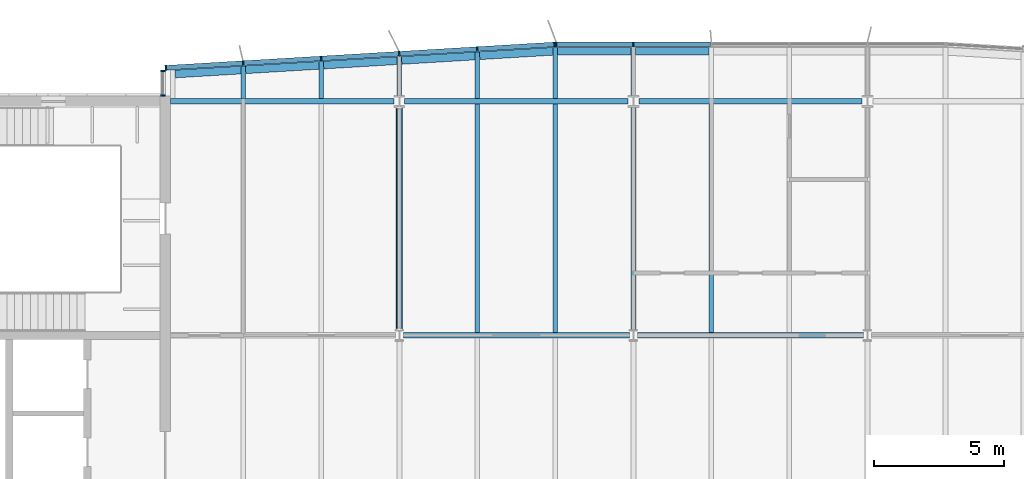
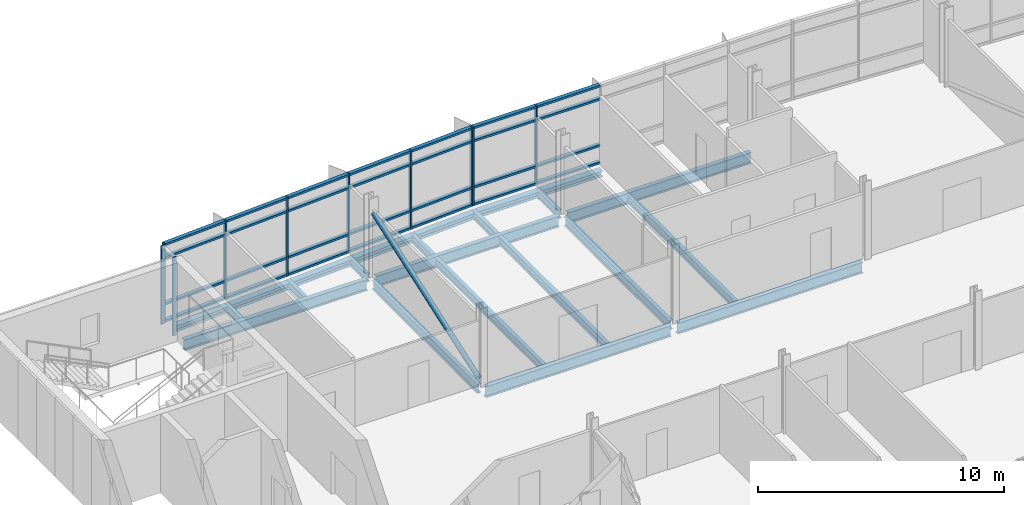
# One storey, part 4 of 21: 39 members, 23 beams, 3 elements without a shape of their own.
"""IFC4 building model written with IfcOpenShell, lengths in metres."""

from ifc_helpers import new_model, si_unit, direction, frame, origin, origin_2d, place, context, subcontext, project, spatial, rectangle, hollow_circle, i_section, extrude, material, material_profile, profile_set, type_object, element, aggregate, save


model = new_model("IFC4")

# Units and contexts
model_context = context("Model", 3, precision=1e-05, world=origin(), true_north=direction((0.0, 1.0)))
body_context = subcontext(model_context, "Body", "Model", "MODEL_VIEW")
ifc_project = project(units=[si_unit("LENGTHUNIT", "METRE"), si_unit("AREAUNIT", "SQUARE_METRE"), si_unit("VOLUMEUNIT", "CUBIC_METRE"), si_unit("PLANEANGLEUNIT", "RADIAN"), si_unit("MASSUNIT", "GRAM", prefix="KILO")], contexts=[model_context])

# Site, building, storey
site_placement = place(None, origin())
site = spatial("IfcSite", under=ifc_project, at=site_placement, CompositionType="ELEMENT")
building_placement = place(site_placement, origin())
building = spatial("IfcBuilding", under=site, at=building_placement, Name="Azimuth Sports and Learning Centre", CompositionType="ELEMENT")
storey_placement = place(building_placement, frame((0.0, 0.0, 48.0)))
storey = spatial("IfcBuildingStorey", under=building, at=storey_placement, Name="L10", CompositionType="ELEMENT", Elevation=48.0)

# Beams
ifc_material_1 = material(Name="Steel S355", Category="steel")
ifc_material_profile_1 = material_profile(ifc_material_1, i_section(OverallWidth=0.18994140625, OverallDepth=0.449951171875, WebThickness=0.009521484375, FlangeThickness=0.0146484375, FilletRadius=0.02099609375, at=origin_2d()), Name="IPE 450")
ifc_profile_set_1 = profile_set([ifc_material_profile_1], Name="Steel S355")
beam_type_1 = type_object("IfcBeamType", Name="Beam IPE 450", PredefinedType="BEAM", material=ifc_profile_set_1)
for number, where, z_axis, x_axis, name in (
    (1, (72.0, 108.216064453125, -0.35498046875), (0.0, 1.0, 0.0), (-1.0, 0.0, 0.0), "Tower tie"),
    (2, (81.0, 108.216064453125, -0.35498046875), (0.0, 1.0, 0.0), (-1.0, 0.0, 0.0), "Tower tie"),
):
    element("IfcBeam", number, at=place(storey_placement, frame(where, z_axis=z_axis, x_axis=x_axis)), inside=storey, type_object=beam_type_1, Name=name, PredefinedType="BEAM", context=body_context, shape_type="SweptSolid", body=[
        extrude(i_section(OverallWidth=0.18994140625, OverallDepth=0.449951171875, WebThickness=0.009521484375, FlangeThickness=0.0146484375, FilletRadius=0.02099609375, at=origin_2d()), origin(), (0.0, 0.0, 1.0), 8.556396484375),
    ])
ifc_material_2 = material(Name="Steel S355", Category="steel")
ifc_material_profile_2 = material_profile(ifc_material_2, i_section(OverallWidth=0.2099609375, OverallDepth=0.550048828125, WebThickness=0.010986328125, FlangeThickness=0.01708984375, FilletRadius=0.02392578125, at=origin_2d()), Name="IPE 550")
ifc_profile_set_2 = profile_set([ifc_material_profile_2], Name="Steel S355")
beam_type_2 = type_object("IfcBeamType", Name="Beam IPE 550", PredefinedType="BEAM", material=ifc_profile_set_2)
for number, where, z_axis, x_axis, name in (
    (3, (72.153564453125, 108.0, -0.405029296875), (1.0, 0.0, 0.0), (0.0, 1.0, 0.0), "Tower girder L10"),
    (4, (81.153564453125, 108.0, -0.405029296875), (1.0, 0.0, 0.0), (0.0, 1.0, 0.0), "Tower girder L10"),
):
    element("IfcBeam", number, at=place(storey_placement, frame(where, z_axis=z_axis, x_axis=x_axis)), inside=storey, type_object=beam_type_2, Name=name, PredefinedType="BEAM", context=body_context, shape_type="SweptSolid", body=[
        extrude(i_section(OverallWidth=0.2099609375, OverallDepth=0.550048828125, WebThickness=0.010986328125, FlangeThickness=0.01708984375, FilletRadius=0.02392578125, at=origin_2d()), origin(), (0.0, 0.0, 1.0), 8.69287109375),
    ])
beam_1_placement = place(storey_placement, frame((63.199951171875, 117.0, -0.405029296875), z_axis=(1.0, 0.0, 0.0), x_axis=(0.0, 1.0, 0.0)))
element("IfcBeam", 5, at=beam_1_placement, inside=storey, type_object=beam_type_2, Name="Tower girder L10", PredefinedType="BEAM", context=body_context, shape_type="SweptSolid", body=[
    extrude(i_section(OverallWidth=0.2099609375, OverallDepth=0.550048828125, WebThickness=0.010986328125, FlangeThickness=0.01708984375, FilletRadius=0.02392578125, at=origin_2d()), origin(), (0.0, 0.0, 1.0), 8.591064453125),
])
for number, where, z_axis, x_axis, name in (
    (6, (72.208984375, 117.0, -0.405029296875), (1.0, 0.0, 0.0), (0.0, 1.0, 0.0), "Tower girder L10"),
    (7, (81.208984375, 117.0, -0.405029296875), (1.0, 0.0, 0.0), (0.0, 1.0, 0.0), "Tower girder L10"),
):
    element("IfcBeam", number, at=place(storey_placement, frame(where, z_axis=z_axis, x_axis=x_axis)), inside=storey, type_object=beam_type_2, Name=name, PredefinedType="BEAM", context=body_context, shape_type="SweptSolid", body=[
        extrude(i_section(OverallWidth=0.2099609375, OverallDepth=0.550048828125, WebThickness=0.010986328125, FlangeThickness=0.01708984375, FilletRadius=0.02392578125, at=origin_2d()), origin(), (0.0, 0.0, 1.0), 8.58203125),
    ])

# Member
ifc_material_3 = material(Name="Steel S355", Category="steel")
ifc_material_profile_3 = material_profile(ifc_material_3, hollow_circle(Radius=0.122314453125, WallThickness=0.012451171875, at=origin_2d()), Name="CHS 244.5x12.5")
ifc_profile_set_3 = profile_set([ifc_material_profile_3], Name="Steel S355")
member_type_1 = type_object("IfcMemberType", Name="Brace CHS 244.5x12.5", PredefinedType="BRACE", material=ifc_profile_set_3)
member_1_placement = place(storey_placement, frame((72.0, 108.236328125, 0.16943359375), z_axis=(0.0, 0.94383599609, 0.330414304299), x_axis=(-1.0, 0.0, 0.0)))
element("IfcMember", 8, at=member_1_placement, inside=storey, type_object=member_type_1, Name="Tower brace 9 L10", PredefinedType="BRACE", context=body_context, shape_type="SweptSolid", body=[
    extrude(hollow_circle(Radius=0.122314453125, WallThickness=0.012451171875, at=origin_2d()), origin(), (0.0, 0.0, 1.0), 9.022705078125),
])

# Beams
ifc_material_4 = material(Name="Steel S355", Category="steel")
ifc_material_profile_4 = material_profile(ifc_material_4, i_section(OverallWidth=0.179931640625, OverallDepth=0.39990234375, WebThickness=0.008544921875, FlangeThickness=0.013427734375, FilletRadius=0.02099609375, at=origin_2d()), Name="IPE 400")
ifc_profile_set_4 = profile_set([ifc_material_profile_4], Name="Steel S355")
beam_type_3 = type_object("IfcBeamType", Name="Cantilever stub IPE 400", PredefinedType="JOIST", material=ifc_profile_set_4)
beam_2_placement = place(storey_placement, frame((66.0, 117.10498046875, -0.330078125), z_axis=(0.0, 1.0, 0.0), x_axis=(-1.0, 0.0, 0.0)))
element("IfcBeam", 9, at=beam_2_placement, inside=storey, type_object=beam_type_3, Name="Tower cantilever stub", PredefinedType="JOIST", context=body_context, shape_type="SweptSolid", body=[
    extrude(i_section(OverallWidth=0.179931640625, OverallDepth=0.39990234375, WebThickness=0.008544921875, FlangeThickness=0.013427734375, FilletRadius=0.02099609375, at=origin_2d()), origin(), (0.0, 0.0, 1.0), 1.255126953125),
])
beam_3_placement = place(storey_placement, frame((69.0, 117.10498046875, -0.330078125), z_axis=(0.0, 1.0, 0.0), x_axis=(-1.0, 0.0, 0.0)))
element("IfcBeam", 10, at=beam_3_placement, inside=storey, type_object=beam_type_3, Name="Tower cantilever stub", PredefinedType="JOIST", context=body_context, shape_type="SweptSolid", body=[
    extrude(i_section(OverallWidth=0.179931640625, OverallDepth=0.39990234375, WebThickness=0.008544921875, FlangeThickness=0.013427734375, FilletRadius=0.02099609375, at=origin_2d()), origin(), (0.0, 0.0, 1.0), 1.43505859375),
])
beam_4_placement = place(storey_placement, frame((72.0, 117.2275390625, -0.330078125), z_axis=(0.0, 1.0, 0.0), x_axis=(-1.0, 0.0, 0.0)))
element("IfcBeam", 11, at=beam_4_placement, inside=storey, type_object=beam_type_3, Name="Tower cantilever stub", PredefinedType="JOIST", context=body_context, shape_type="SweptSolid", body=[
    extrude(i_section(OverallWidth=0.179931640625, OverallDepth=0.39990234375, WebThickness=0.008544921875, FlangeThickness=0.013427734375, FilletRadius=0.02099609375, at=origin_2d()), origin(), (0.0, 0.0, 1.0), 1.492431640625),
])
beam_5_placement = place(storey_placement, frame((75.0, 117.10498046875, -0.330078125), z_axis=(0.0, 1.0, 0.0), x_axis=(-1.0, 0.0, 0.0)))
element("IfcBeam", 12, at=beam_5_placement, inside=storey, type_object=beam_type_3, Name="Tower cantilever stub", PredefinedType="JOIST", context=body_context, shape_type="SweptSolid", body=[
    extrude(i_section(OverallWidth=0.179931640625, OverallDepth=0.39990234375, WebThickness=0.008544921875, FlangeThickness=0.013427734375, FilletRadius=0.02099609375, at=origin_2d()), origin(), (0.0, 0.0, 1.0), 1.794921875),
])
beam_6_placement = place(storey_placement, frame((78.0, 117.10498046875, -0.330078125), z_axis=(0.0, 1.0, 0.0), x_axis=(-1.0, 0.0, 0.0)))
element("IfcBeam", 13, at=beam_6_placement, inside=storey, type_object=beam_type_3, Name="Tower cantilever stub", PredefinedType="JOIST", context=body_context, shape_type="SweptSolid", body=[
    extrude(i_section(OverallWidth=0.179931640625, OverallDepth=0.39990234375, WebThickness=0.008544921875, FlangeThickness=0.013427734375, FilletRadius=0.02099609375, at=origin_2d()), origin(), (0.0, 0.0, 1.0), 1.97509765625),
])
beam_7_placement = place(storey_placement, frame((81.0, 117.2275390625, -0.330078125), z_axis=(0.0, 1.0, 0.0), x_axis=(-1.0, 0.0, 0.0)))
element("IfcBeam", 14, at=beam_7_placement, inside=storey, type_object=beam_type_3, Name="Tower cantilever stub", PredefinedType="JOIST", context=body_context, shape_type="SweptSolid", body=[
    extrude(i_section(OverallWidth=0.179931640625, OverallDepth=0.39990234375, WebThickness=0.008544921875, FlangeThickness=0.013427734375, FilletRadius=0.02099609375, at=origin_2d()), origin(), (0.0, 0.0, 1.0), 1.8525390625),
])
ifc_material_5 = material(Name="Steel S355", Category="steel")
ifc_material_profile_5 = material_profile(ifc_material_5, i_section(OverallWidth=0.300048828125, OverallDepth=0.2900390625, WebThickness=0.008544921875, FlangeThickness=0.013916015625, FilletRadius=0.027099609375, at=origin_2d()), Name="HEA 300")
ifc_profile_set_5 = profile_set([ifc_material_profile_5], Name="Steel S355")
beam_type_4 = type_object("IfcBeamType", Name="Edge beam HEA 300", PredefinedType="SPANDREL", material=ifc_profile_set_5)
beam_8_placement = place(storey_placement, frame((63.3798828125, 118.052734375, -0.27490234375), z_axis=(0.998203578329, 0.059913405937, 0.0), x_axis=(-0.059913405937, 0.998203578329, 0.0)))
element("IfcBeam", 15, at=beam_8_placement, inside=storey, type_object=beam_type_4, Name="Tower edge beam", PredefinedType="SPANDREL", context=body_context, shape_type="SweptSolid", body=[
    extrude(i_section(OverallWidth=0.300048828125, OverallDepth=0.2900390625, WebThickness=0.008544921875, FlangeThickness=0.013916015625, FilletRadius=0.027099609375, at=origin_2d()), origin(), (0.0, 0.0, 1.0), 2.53466796875),
])
for number, where, z_axis, x_axis, name in (
    (16, (66.090087890625, 118.21533203125, -0.27490234375), (0.998204845466, 0.059892290728, 0.0), (-0.059892290728, 0.998204845466, 0.0), "Tower edge beam"),
    (17, (69.090087890625, 118.3955078125, -0.27490234375), (0.998204845466, 0.059892290728, 0.0), (-0.059892290728, 0.998204845466, 0.0), "Tower edge beam"),
    (18, (72.090087890625, 118.575439453125, -0.27490234375), (0.998204845466, 0.059892290728, 0.0), (-0.059892290728, 0.998204845466, 0.0), "Tower edge beam"),
    (19, (75.090087890625, 118.75537109375, -0.27490234375), (0.998204845466, 0.059892290728, 0.0), (-0.059892290728, 0.998204845466, 0.0), "Tower edge beam"),
):
    element("IfcBeam", number, at=place(storey_placement, frame(where, z_axis=z_axis, x_axis=x_axis)), inside=storey, type_object=beam_type_4, Name=name, PredefinedType="SPANDREL", context=body_context, shape_type="SweptSolid", body=[
        extrude(i_section(OverallWidth=0.300048828125, OverallDepth=0.2900390625, WebThickness=0.008544921875, FlangeThickness=0.013916015625, FilletRadius=0.027099609375, at=origin_2d()), origin(), (0.0, 0.0, 1.0), 2.824951171875),
    ])
for number, where, z_axis, x_axis, name in (
    (20, (78.090087890625, 118.929931640625, -0.27490234375), (1.0, 0.0, 0.0), (0.0, 1.0, 0.0), "Tower edge beam"),
    (21, (81.090087890625, 118.929931640625, -0.27490234375), (1.0, 0.0, 0.0), (0.0, 1.0, 0.0), "Tower edge beam"),
):
    element("IfcBeam", number, at=place(storey_placement, frame(where, z_axis=z_axis, x_axis=x_axis)), inside=storey, type_object=beam_type_4, Name=name, PredefinedType="SPANDREL", context=body_context, shape_type="SweptSolid", body=[
        extrude(i_section(OverallWidth=0.300048828125, OverallDepth=0.2900390625, WebThickness=0.008544921875, FlangeThickness=0.013916015625, FilletRadius=0.027099609375, at=origin_2d()), origin(), (0.0, 0.0, 1.0), 2.81982421875),
    ])
ifc_material_6 = material(Name="Steel S355", Category="steel")
ifc_material_profile_6 = material_profile(ifc_material_6, i_section(OverallWidth=0.179931640625, OverallDepth=0.39990234375, WebThickness=0.008544921875, FlangeThickness=0.013427734375, FilletRadius=0.02099609375, at=origin_2d()), Name="IPE 400")
ifc_profile_set_6 = profile_set([ifc_material_profile_6], Name="Steel S355")
beam_type_5 = type_object("IfcBeamType", Name="Joist IPE 400", PredefinedType="JOIST", material=ifc_profile_set_6)
for number, where, z_axis, x_axis, name in (
    (22, (75.0, 108.10498046875, -0.330078125), (0.0, 1.0, 0.0), (-1.0, 0.0, 0.0), "Tower joist"),
    (23, (78.0, 108.10498046875, -0.330078125), (0.0, 1.0, 0.0), (-1.0, 0.0, 0.0), "Tower joist"),
    (24, (84.0, 108.10498046875, -0.330078125), (0.0, 1.0, 0.0), (-1.0, 0.0, 0.0), "Tower joist"),
):
    element("IfcBeam", number, at=place(storey_placement, frame(where, z_axis=z_axis, x_axis=x_axis)), inside=storey, type_object=beam_type_5, Name=name, PredefinedType="JOIST", context=body_context, shape_type="SweptSolid", body=[
        extrude(i_section(OverallWidth=0.179931640625, OverallDepth=0.39990234375, WebThickness=0.008544921875, FlangeThickness=0.013427734375, FilletRadius=0.02099609375, at=origin_2d()), origin(), (0.0, 0.0, 1.0), 8.7900390625),
    ])

# Curtain wall, members
ifc_material_7 = material(Name="Aluminium and glass", Category="aluminium")
curtain_wall_type_1 = type_object("IfcCurtainWallType", Name="Curtain wall tower north 180", PredefinedType="NOTDEFINED", material=ifc_material_7)
curtain_wall_1_placement = place(storey_placement, origin())
curtain_wall_1 = element("IfcCurtainWall", 25, at=curtain_wall_1_placement, inside=storey, type_object=curtain_wall_type_1, Name="Curtain wall CW10-008", PredefinedType="NOTDEFINED")
ifc_material_8 = material(Name="Aluminium", Category="aluminium")
ifc_material_profile_7 = material_profile(ifc_material_8, rectangle(XDim=0.179931640625, YDim=0.06005859375, at=origin_2d()), Name="Mullion 60x180")
ifc_profile_set_7 = profile_set([ifc_material_profile_7], Name="Aluminium")
member_type_2 = type_object("IfcMemberType", Name="Mullion 60x180", PredefinedType="MULLION", material=ifc_profile_set_7)
member_2_placement = place(storey_placement, frame((81.0, 119.18994140625, 0.0), z_axis=(0.0, 0.0, 1.0), x_axis=(0.0, -1.0, 0.0)))
member_2 = element("IfcMember", 26, at=member_2_placement, type_object=member_type_2, Name="CW10-008 mullion 5", PredefinedType="MULLION", context=body_context, shape_type="SweptSolid", body=[
    extrude(rectangle(XDim=0.179931640625, YDim=0.06005859375, at=origin_2d()), origin(), (0.0, 0.0, 1.0), 3.89990234375),
])
member_3_placement = place(storey_placement, frame((78.030029296875, 119.18994140625, 0.0), z_axis=(0.0, 0.0, 1.0), x_axis=(0.0, -1.0, 0.0)))
member_3 = element("IfcMember", 27, at=member_3_placement, type_object=member_type_2, Name="CW10-008 mullion 6", PredefinedType="MULLION", context=body_context, shape_type="SweptSolid", body=[
    extrude(rectangle(XDim=0.179931640625, YDim=0.06005859375, at=origin_2d()), origin(), (0.0, 0.0, 1.0), 3.89990234375),
])

curtain_wall_2_placement = place(storey_placement, origin())
curtain_wall_2 = element("IfcCurtainWall", 28, at=curtain_wall_2_placement, inside=storey, type_object=curtain_wall_type_1, Name="Curtain wall CW10-009", PredefinedType="NOTDEFINED")
member_4_placement = place(storey_placement, frame((77.969970703125, 119.1884765625, 0.0), z_axis=(0.0, 0.0, 1.0), x_axis=(0.059891991812, -0.998204863401, 0.0)))
member_4 = element("IfcMember", 29, at=member_4_placement, type_object=member_type_2, Name="CW10-009 mullion 1", PredefinedType="MULLION", context=body_context, shape_type="SweptSolid", body=[
    extrude(rectangle(XDim=0.179931640625, YDim=0.06005859375, at=origin_2d()), origin(), (0.0, 0.0, 1.0), 3.89990234375),
])
member_5_placement = place(storey_placement, frame((74.99462890625, 119.009765625, 0.0), z_axis=(0.0, 0.0, 1.0), x_axis=(0.059891991812, -0.998204863401, 0.0)))
member_5 = element("IfcMember", 30, at=member_5_placement, type_object=member_type_2, Name="CW10-009 mullion 2", PredefinedType="MULLION", context=body_context, shape_type="SweptSolid", body=[
    extrude(rectangle(XDim=0.179931640625, YDim=0.06005859375, at=origin_2d()), origin(), (0.0, 0.0, 1.0), 3.89990234375),
])
member_6_placement = place(storey_placement, frame((71.99462890625, 118.829833984375, 0.0), z_axis=(0.0, 0.0, 1.0), x_axis=(0.059891991812, -0.998204863401, 0.0)))
member_6 = element("IfcMember", 31, at=member_6_placement, type_object=member_type_2, Name="CW10-009 mullion 3", PredefinedType="MULLION", context=body_context, shape_type="SweptSolid", body=[
    extrude(rectangle(XDim=0.179931640625, YDim=0.06005859375, at=origin_2d()), origin(), (0.0, 0.0, 1.0), 3.89990234375),
])
member_7_placement = place(storey_placement, frame((68.99462890625, 118.64990234375, 0.0), z_axis=(0.0, 0.0, 1.0), x_axis=(0.059891991812, -0.998204863401, 0.0)))
member_7 = element("IfcMember", 32, at=member_7_placement, type_object=member_type_2, Name="CW10-009 mullion 4", PredefinedType="MULLION", context=body_context, shape_type="SweptSolid", body=[
    extrude(rectangle(XDim=0.179931640625, YDim=0.06005859375, at=origin_2d()), origin(), (0.0, 0.0, 1.0), 3.89990234375),
])
member_8_placement = place(storey_placement, frame((65.99462890625, 118.4697265625, 0.0), z_axis=(0.0, 0.0, 1.0), x_axis=(0.059891991812, -0.998204863401, 0.0)))
member_8 = element("IfcMember", 33, at=member_8_placement, type_object=member_type_2, Name="CW10-009 mullion 5", PredefinedType="MULLION", context=body_context, shape_type="SweptSolid", body=[
    extrude(rectangle(XDim=0.179931640625, YDim=0.06005859375, at=origin_2d()), origin(), (0.0, 0.0, 1.0), 3.89990234375),
])
member_9_placement = place(storey_placement, frame((63.024658203125, 118.291748046875, 0.0), z_axis=(0.0, 0.0, 1.0), x_axis=(0.059891991812, -0.998204863401, 0.0)))
member_9 = element("IfcMember", 34, at=member_9_placement, type_object=member_type_2, Name="CW10-009 mullion 6", PredefinedType="MULLION", context=body_context, shape_type="SweptSolid", body=[
    extrude(rectangle(XDim=0.179931640625, YDim=0.06005859375, at=origin_2d()), origin(), (0.0, 0.0, 1.0), 3.89990234375),
])

ifc_material_9 = material(Name="Aluminium and glass", Category="aluminium")
curtain_wall_type_2 = type_object("IfcCurtainWallType", Name="Curtain wall tower return 180", PredefinedType="NOTDEFINED", material=ifc_material_9)
curtain_wall_3_placement = place(storey_placement, origin())
curtain_wall_3 = element("IfcCurtainWall", 35, at=curtain_wall_3_placement, inside=storey, type_object=curtain_wall_type_2, Name="Curtain wall CW10-010", PredefinedType="NOTDEFINED")
member_10_placement = place(storey_placement, frame((62.909912109375, 118.169921875, 0.0), z_axis=(0.0, 0.0, 1.0), x_axis=(1.0, 0.0, 0.0)))
member_10 = element("IfcMember", 36, at=member_10_placement, type_object=member_type_2, Name="CW10-010 mullion 1", PredefinedType="MULLION", context=body_context, shape_type="SweptSolid", body=[
    extrude(rectangle(XDim=0.179931640625, YDim=0.06005859375, at=origin_2d()), origin(), (0.0, 0.0, 1.0), 3.89990234375),
])
member_11_placement = place(storey_placement, frame((62.909912109375, 117.22998046875, 0.0), z_axis=(0.0, 0.0, 1.0), x_axis=(1.0, 0.0, 0.0)))
member_11 = element("IfcMember", 37, at=member_11_placement, type_object=member_type_2, Name="CW10-010 mullion 2", PredefinedType="MULLION", context=body_context, shape_type="SweptSolid", body=[
    extrude(rectangle(XDim=0.179931640625, YDim=0.06005859375, at=origin_2d()), origin(), (0.0, 0.0, 1.0), 3.89990234375),
])
aggregate(curtain_wall_3, [member_10, member_11])

# Member
ifc_material_10 = material(Name="Aluminium", Category="aluminium")
ifc_material_profile_8 = material_profile(ifc_material_10, rectangle(XDim=0.179931640625, YDim=0.10009765625, at=origin_2d()), Name="Transom 100x180")
ifc_profile_set_8 = profile_set([ifc_material_profile_8], Name="Aluminium")
member_type_3 = type_object("IfcMemberType", Name="Transom 100x180", PredefinedType="USERDEFINED", material=ifc_profile_set_8)
member_12_placement = place(storey_placement, frame((83.969970703125, 119.18994140625, 0.050048828125), z_axis=(-1.0, 0.0, 0.0), x_axis=(0.0, -1.0, 0.0)))
member_12 = element("IfcMember", 38, at=member_12_placement, type_object=member_type_3, Name="CW10-008 transom 4.1", ObjectType="TRANSOM", PredefinedType="USERDEFINED", context=body_context, shape_type="SweptSolid", body=[
    extrude(rectangle(XDim=0.179931640625, YDim=0.10009765625, at=origin_2d()), origin(), (0.0, 0.0, 1.0), 2.93994140625),
])

member_13_placement = place(storey_placement, frame((83.969970703125, 119.18994140625, 0.89990234375), z_axis=(-1.0, 0.0, 0.0), x_axis=(0.0, -1.0, 0.0)))
member_13 = element("IfcMember", 39, at=member_13_placement, type_object=member_type_3, Name="CW10-008 transom 4.2", ObjectType="TRANSOM", PredefinedType="USERDEFINED", context=body_context, shape_type="SweptSolid", body=[
    extrude(rectangle(XDim=0.179931640625, YDim=0.10009765625, at=origin_2d()), origin(), (0.0, 0.0, 1.0), 2.93994140625),
])

member_14_placement = place(storey_placement, frame((83.969970703125, 119.18994140625, 3.199951171875), z_axis=(-1.0, 0.0, 0.0), x_axis=(0.0, -1.0, 0.0)))
member_14 = element("IfcMember", 40, at=member_14_placement, type_object=member_type_3, Name="CW10-008 transom 4.3", ObjectType="TRANSOM", PredefinedType="USERDEFINED", context=body_context, shape_type="SweptSolid", body=[
    extrude(rectangle(XDim=0.179931640625, YDim=0.10009765625, at=origin_2d()), origin(), (0.0, 0.0, 1.0), 2.93994140625),
])

member_15_placement = place(storey_placement, frame((83.969970703125, 119.18994140625, 3.85009765625), z_axis=(-1.0, 0.0, 0.0), x_axis=(0.0, -1.0, 0.0)))
member_15 = element("IfcMember", 41, at=member_15_placement, type_object=member_type_3, Name="CW10-008 transom 4.4", ObjectType="TRANSOM", PredefinedType="USERDEFINED", context=body_context, shape_type="SweptSolid", body=[
    extrude(rectangle(XDim=0.179931640625, YDim=0.10009765625, at=origin_2d()), origin(), (0.0, 0.0, 1.0), 2.93994140625),
])

member_16_placement = place(storey_placement, frame((80.969970703125, 119.18994140625, 0.050048828125), z_axis=(-1.0, 0.0, 0.0), x_axis=(0.0, -1.0, 0.0)))
member_16 = element("IfcMember", 42, at=member_16_placement, type_object=member_type_3, Name="CW10-008 transom 5.1", ObjectType="TRANSOM", PredefinedType="USERDEFINED", context=body_context, shape_type="SweptSolid", body=[
    extrude(rectangle(XDim=0.179931640625, YDim=0.10009765625, at=origin_2d()), origin(), (0.0, 0.0, 1.0), 2.909912109375),
])

member_17_placement = place(storey_placement, frame((80.969970703125, 119.18994140625, 0.89990234375), z_axis=(-1.0, 0.0, 0.0), x_axis=(0.0, -1.0, 0.0)))
member_17 = element("IfcMember", 43, at=member_17_placement, type_object=member_type_3, Name="CW10-008 transom 5.2", ObjectType="TRANSOM", PredefinedType="USERDEFINED", context=body_context, shape_type="SweptSolid", body=[
    extrude(rectangle(XDim=0.179931640625, YDim=0.10009765625, at=origin_2d()), origin(), (0.0, 0.0, 1.0), 2.909912109375),
])

member_18_placement = place(storey_placement, frame((80.969970703125, 119.18994140625, 3.199951171875), z_axis=(-1.0, 0.0, 0.0), x_axis=(0.0, -1.0, 0.0)))
member_18 = element("IfcMember", 44, at=member_18_placement, type_object=member_type_3, Name="CW10-008 transom 5.3", ObjectType="TRANSOM", PredefinedType="USERDEFINED", context=body_context, shape_type="SweptSolid", body=[
    extrude(rectangle(XDim=0.179931640625, YDim=0.10009765625, at=origin_2d()), origin(), (0.0, 0.0, 1.0), 2.909912109375),
])

member_19_placement = place(storey_placement, frame((80.969970703125, 119.18994140625, 3.85009765625), z_axis=(-1.0, 0.0, 0.0), x_axis=(0.0, -1.0, 0.0)))
member_19 = element("IfcMember", 45, at=member_19_placement, type_object=member_type_3, Name="CW10-008 transom 5.4", ObjectType="TRANSOM", PredefinedType="USERDEFINED", context=body_context, shape_type="SweptSolid", body=[
    extrude(rectangle(XDim=0.179931640625, YDim=0.10009765625, at=origin_2d()), origin(), (0.0, 0.0, 1.0), 2.909912109375),
])

aggregate(curtain_wall_1, [member_2, member_3, member_12, member_13, member_14, member_15, member_16, member_17, member_18, member_19])

member_20_placement = place(storey_placement, frame((77.940185546875, 119.1865234375, 0.050048828125), z_axis=(-0.998207443116, -0.059848980847, 0.0), x_axis=(0.059848980847, -0.998207443116, 0.0)))
member_20 = element("IfcMember", 46, at=member_20_placement, type_object=member_type_3, Name="CW10-009 transom 1.1", ObjectType="TRANSOM", PredefinedType="USERDEFINED", context=body_context, shape_type="SweptSolid", body=[
    extrude(rectangle(XDim=0.179931640625, YDim=0.10009765625, at=origin_2d()), origin(), (0.0, 0.0, 1.0), 2.920654296875),
])

member_21_placement = place(storey_placement, frame((77.940185546875, 119.1865234375, 0.89990234375), z_axis=(-0.998207443116, -0.059848980847, 0.0), x_axis=(0.059848980847, -0.998207443116, 0.0)))
member_21 = element("IfcMember", 47, at=member_21_placement, type_object=member_type_3, Name="CW10-009 transom 1.2", ObjectType="TRANSOM", PredefinedType="USERDEFINED", context=body_context, shape_type="SweptSolid", body=[
    extrude(rectangle(XDim=0.179931640625, YDim=0.10009765625, at=origin_2d()), origin(), (0.0, 0.0, 1.0), 2.920654296875),
])

member_22_placement = place(storey_placement, frame((77.940185546875, 119.1865234375, 3.199951171875), z_axis=(-0.998207443116, -0.059848980847, 0.0), x_axis=(0.059848980847, -0.998207443116, 0.0)))
member_22 = element("IfcMember", 48, at=member_22_placement, type_object=member_type_3, Name="CW10-009 transom 1.3", ObjectType="TRANSOM", PredefinedType="USERDEFINED", context=body_context, shape_type="SweptSolid", body=[
    extrude(rectangle(XDim=0.179931640625, YDim=0.10009765625, at=origin_2d()), origin(), (0.0, 0.0, 1.0), 2.920654296875),
])

member_23_placement = place(storey_placement, frame((77.940185546875, 119.1865234375, 3.85009765625), z_axis=(-0.998207443116, -0.059848980847, 0.0), x_axis=(0.059848980847, -0.998207443116, 0.0)))
member_23 = element("IfcMember", 49, at=member_23_placement, type_object=member_type_3, Name="CW10-009 transom 1.4", ObjectType="TRANSOM", PredefinedType="USERDEFINED", context=body_context, shape_type="SweptSolid", body=[
    extrude(rectangle(XDim=0.179931640625, YDim=0.10009765625, at=origin_2d()), origin(), (0.0, 0.0, 1.0), 2.920654296875),
])

member_24_placement = place(storey_placement, frame((74.964599609375, 119.008056640625, 0.050048828125), z_axis=(-0.998202465912, -0.059931936792, 0.0), x_axis=(0.059931936792, -0.998202465912, 0.0)))
member_24 = element("IfcMember", 50, at=member_24_placement, type_object=member_type_3, Name="CW10-009 transom 2.1", ObjectType="TRANSOM", PredefinedType="USERDEFINED", context=body_context, shape_type="SweptSolid", body=[
    extrude(rectangle(XDim=0.179931640625, YDim=0.10009765625, at=origin_2d()), origin(), (0.0, 0.0, 1.0), 2.9453125),
])

member_25_placement = place(storey_placement, frame((74.964599609375, 119.008056640625, 0.89990234375), z_axis=(-0.998202465912, -0.059931936792, 0.0), x_axis=(0.059931936792, -0.998202465912, 0.0)))
member_25 = element("IfcMember", 51, at=member_25_placement, type_object=member_type_3, Name="CW10-009 transom 2.2", ObjectType="TRANSOM", PredefinedType="USERDEFINED", context=body_context, shape_type="SweptSolid", body=[
    extrude(rectangle(XDim=0.179931640625, YDim=0.10009765625, at=origin_2d()), origin(), (0.0, 0.0, 1.0), 2.9453125),
])

member_26_placement = place(storey_placement, frame((74.964599609375, 119.008056640625, 3.199951171875), z_axis=(-0.998202465912, -0.059931936792, 0.0), x_axis=(0.059931936792, -0.998202465912, 0.0)))
member_26 = element("IfcMember", 52, at=member_26_placement, type_object=member_type_3, Name="CW10-009 transom 2.3", ObjectType="TRANSOM", PredefinedType="USERDEFINED", context=body_context, shape_type="SweptSolid", body=[
    extrude(rectangle(XDim=0.179931640625, YDim=0.10009765625, at=origin_2d()), origin(), (0.0, 0.0, 1.0), 2.9453125),
])

member_27_placement = place(storey_placement, frame((74.964599609375, 119.008056640625, 3.85009765625), z_axis=(-0.998202465912, -0.059931936792, 0.0), x_axis=(0.059931936792, -0.998202465912, 0.0)))
member_27 = element("IfcMember", 53, at=member_27_placement, type_object=member_type_3, Name="CW10-009 transom 2.4", ObjectType="TRANSOM", PredefinedType="USERDEFINED", context=body_context, shape_type="SweptSolid", body=[
    extrude(rectangle(XDim=0.179931640625, YDim=0.10009765625, at=origin_2d()), origin(), (0.0, 0.0, 1.0), 2.9453125),
])

member_28_placement = place(storey_placement, frame((71.964599609375, 118.828125, 0.050048828125), z_axis=(-0.998202465912, -0.059931936792, 0.0), x_axis=(0.059931936792, -0.998202465912, 0.0)))
member_28 = element("IfcMember", 54, at=member_28_placement, type_object=member_type_3, Name="CW10-009 transom 3.1", ObjectType="TRANSOM", PredefinedType="USERDEFINED", context=body_context, shape_type="SweptSolid", body=[
    extrude(rectangle(XDim=0.179931640625, YDim=0.10009765625, at=origin_2d()), origin(), (0.0, 0.0, 1.0), 2.9453125),
])

member_29_placement = place(storey_placement, frame((71.964599609375, 118.828125, 0.89990234375), z_axis=(-0.998202465912, -0.059931936792, 0.0), x_axis=(0.059931936792, -0.998202465912, 0.0)))
member_29 = element("IfcMember", 55, at=member_29_placement, type_object=member_type_3, Name="CW10-009 transom 3.2", ObjectType="TRANSOM", PredefinedType="USERDEFINED", context=body_context, shape_type="SweptSolid", body=[
    extrude(rectangle(XDim=0.179931640625, YDim=0.10009765625, at=origin_2d()), origin(), (0.0, 0.0, 1.0), 2.9453125),
])

member_30_placement = place(storey_placement, frame((71.964599609375, 118.828125, 3.199951171875), z_axis=(-0.998202465912, -0.059931936792, 0.0), x_axis=(0.059931936792, -0.998202465912, 0.0)))
member_30 = element("IfcMember", 56, at=member_30_placement, type_object=member_type_3, Name="CW10-009 transom 3.3", ObjectType="TRANSOM", PredefinedType="USERDEFINED", context=body_context, shape_type="SweptSolid", body=[
    extrude(rectangle(XDim=0.179931640625, YDim=0.10009765625, at=origin_2d()), origin(), (0.0, 0.0, 1.0), 2.9453125),
])

member_31_placement = place(storey_placement, frame((71.964599609375, 118.828125, 3.85009765625), z_axis=(-0.998202465912, -0.059931936792, 0.0), x_axis=(0.059931936792, -0.998202465912, 0.0)))
member_31 = element("IfcMember", 57, at=member_31_placement, type_object=member_type_3, Name="CW10-009 transom 3.4", ObjectType="TRANSOM", PredefinedType="USERDEFINED", context=body_context, shape_type="SweptSolid", body=[
    extrude(rectangle(XDim=0.179931640625, YDim=0.10009765625, at=origin_2d()), origin(), (0.0, 0.0, 1.0), 2.9453125),
])

member_32_placement = place(storey_placement, frame((68.964599609375, 118.64794921875, 0.050048828125), z_axis=(-0.998207421552, -0.059849340505, 0.0), x_axis=(0.059849340505, -0.998207421552, 0.0)))
member_32 = element("IfcMember", 58, at=member_32_placement, type_object=member_type_3, Name="CW10-009 transom 4.1", ObjectType="TRANSOM", PredefinedType="USERDEFINED", context=body_context, shape_type="SweptSolid", body=[
    extrude(rectangle(XDim=0.179931640625, YDim=0.10009765625, at=origin_2d()), origin(), (0.0, 0.0, 1.0), 2.9453125),
])

member_33_placement = place(storey_placement, frame((68.964599609375, 118.64794921875, 0.89990234375), z_axis=(-0.998207421552, -0.059849340505, 0.0), x_axis=(0.059849340505, -0.998207421552, 0.0)))
member_33 = element("IfcMember", 59, at=member_33_placement, type_object=member_type_3, Name="CW10-009 transom 4.2", ObjectType="TRANSOM", PredefinedType="USERDEFINED", context=body_context, shape_type="SweptSolid", body=[
    extrude(rectangle(XDim=0.179931640625, YDim=0.10009765625, at=origin_2d()), origin(), (0.0, 0.0, 1.0), 2.9453125),
])

member_34_placement = place(storey_placement, frame((68.964599609375, 118.64794921875, 3.199951171875), z_axis=(-0.998207421552, -0.059849340505, 0.0), x_axis=(0.059849340505, -0.998207421552, 0.0)))
member_34 = element("IfcMember", 60, at=member_34_placement, type_object=member_type_3, Name="CW10-009 transom 4.3", ObjectType="TRANSOM", PredefinedType="USERDEFINED", context=body_context, shape_type="SweptSolid", body=[
    extrude(rectangle(XDim=0.179931640625, YDim=0.10009765625, at=origin_2d()), origin(), (0.0, 0.0, 1.0), 2.9453125),
])

member_35_placement = place(storey_placement, frame((68.964599609375, 118.64794921875, 3.85009765625), z_axis=(-0.998207421552, -0.059849340505, 0.0), x_axis=(0.059849340505, -0.998207421552, 0.0)))
member_35 = element("IfcMember", 61, at=member_35_placement, type_object=member_type_3, Name="CW10-009 transom 4.4", ObjectType="TRANSOM", PredefinedType="USERDEFINED", context=body_context, shape_type="SweptSolid", body=[
    extrude(rectangle(XDim=0.179931640625, YDim=0.10009765625, at=origin_2d()), origin(), (0.0, 0.0, 1.0), 2.9453125),
])

member_36_placement = place(storey_placement, frame((65.964599609375, 118.468017578125, 0.050048828125), z_axis=(-0.998205846627, -0.059875602377, 0.0), x_axis=(0.059875602377, -0.998205846627, 0.0)))
member_36 = element("IfcMember", 62, at=member_36_placement, type_object=member_type_3, Name="CW10-009 transom 5.1", ObjectType="TRANSOM", PredefinedType="USERDEFINED", context=body_context, shape_type="SweptSolid", body=[
    extrude(rectangle(XDim=0.179931640625, YDim=0.10009765625, at=origin_2d()), origin(), (0.0, 0.0, 1.0), 2.915283203125),
])

member_37_placement = place(storey_placement, frame((65.964599609375, 118.468017578125, 0.89990234375), z_axis=(-0.998205846627, -0.059875602377, 0.0), x_axis=(0.059875602377, -0.998205846627, 0.0)))
member_37 = element("IfcMember", 63, at=member_37_placement, type_object=member_type_3, Name="CW10-009 transom 5.2", ObjectType="TRANSOM", PredefinedType="USERDEFINED", context=body_context, shape_type="SweptSolid", body=[
    extrude(rectangle(XDim=0.179931640625, YDim=0.10009765625, at=origin_2d()), origin(), (0.0, 0.0, 1.0), 2.915283203125),
])

member_38_placement = place(storey_placement, frame((65.964599609375, 118.468017578125, 3.199951171875), z_axis=(-0.998205846627, -0.059875602377, 0.0), x_axis=(0.059875602377, -0.998205846627, 0.0)))
member_38 = element("IfcMember", 64, at=member_38_placement, type_object=member_type_3, Name="CW10-009 transom 5.3", ObjectType="TRANSOM", PredefinedType="USERDEFINED", context=body_context, shape_type="SweptSolid", body=[
    extrude(rectangle(XDim=0.179931640625, YDim=0.10009765625, at=origin_2d()), origin(), (0.0, 0.0, 1.0), 2.915283203125),
])

member_39_placement = place(storey_placement, frame((65.964599609375, 118.468017578125, 3.85009765625), z_axis=(-0.998205846627, -0.059875602377, 0.0), x_axis=(0.059875602377, -0.998205846627, 0.0)))
member_39 = element("IfcMember", 65, at=member_39_placement, type_object=member_type_3, Name="CW10-009 transom 5.4", ObjectType="TRANSOM", PredefinedType="USERDEFINED", context=body_context, shape_type="SweptSolid", body=[
    extrude(rectangle(XDim=0.179931640625, YDim=0.10009765625, at=origin_2d()), origin(), (0.0, 0.0, 1.0), 2.915283203125),
])

aggregate(curtain_wall_2, [member_4, member_5, member_6, member_7, member_8, member_9, member_20, member_21, member_22, member_23, member_24, member_25, member_26, member_27, member_28, member_29, member_30, member_31, member_32, member_33, member_34, member_35, member_36, member_37, member_38, member_39])

save(model, "model.ifc")
